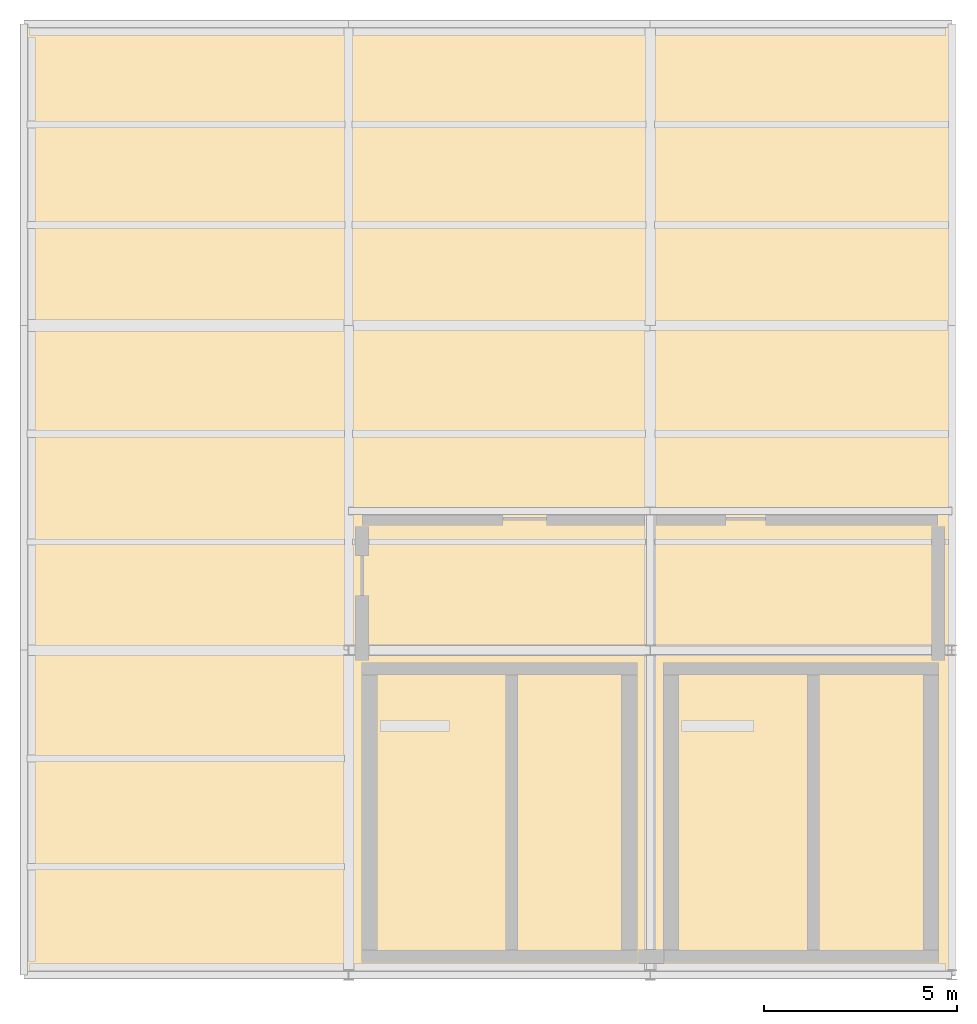
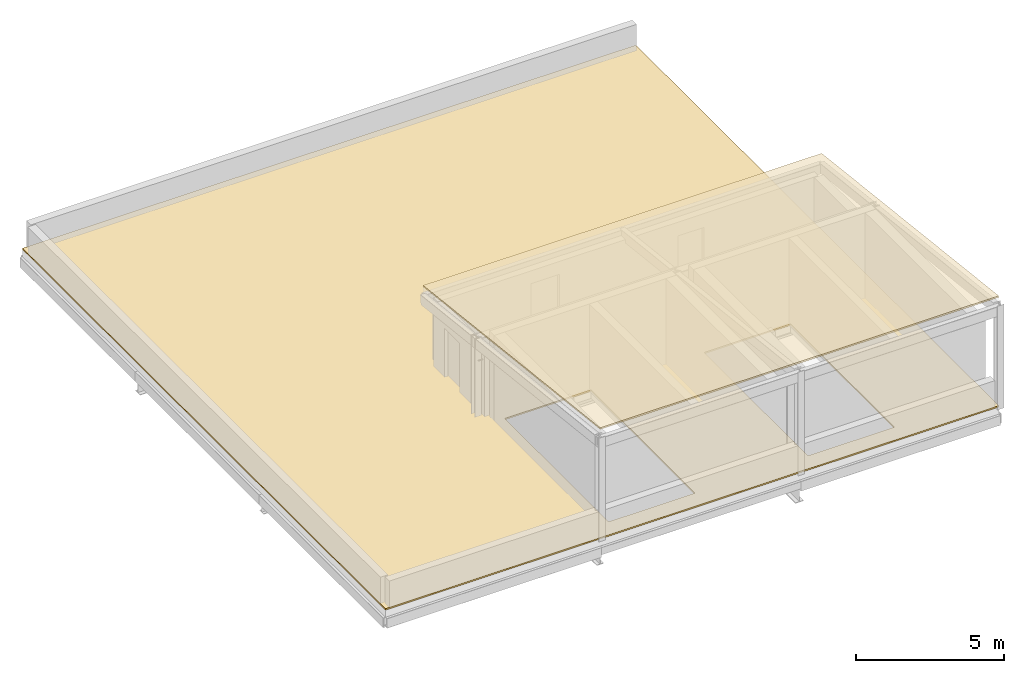
# One storey, part 3 of 3: 2 coverings, 2 elements without a shape of their own.
"""IFC4 building model written with IfcOpenShell, lengths in metres."""

from ifc_helpers import new_model, si_unit, direction, frame, origin_with_axes, place, context, subcontext, project, spatial, polyline, outline, extrude, material, type_object, element, aggregate, save


model = new_model("IFC4")

# Units and contexts
model_context = context("Model", 3, precision=1e-05, world=origin_with_axes(), true_north=direction((0.0, 1.0)))
body_context = subcontext(model_context, "Body", "Model", "MODEL_VIEW")
ifc_project = project(units=[si_unit("LENGTHUNIT", "METRE"), si_unit("AREAUNIT", "SQUARE_METRE"), si_unit("VOLUMEUNIT", "CUBIC_METRE"), si_unit("PLANEANGLEUNIT", "RADIAN"), si_unit("MASSUNIT", "GRAM", prefix="KILO"), si_unit("THERMODYNAMICTEMPERATUREUNIT", "KELVIN")], contexts=[model_context])

# Site, building, storey
site_placement = place(None, origin_with_axes())
site = spatial("IfcSite", under=ifc_project, at=site_placement, CompositionType="ELEMENT")
building_placement = place(site_placement, origin_with_axes())
building = spatial("IfcBuilding", under=site, at=building_placement, Name="Montbau Bow Law Courts", CompositionType="ELEMENT")
storey_placement = place(building_placement, frame((0.0, 0.0, 48.0), z_axis=(0.0, 0.0, 1.0), x_axis=(1.0, 0.0, 0.0)))
storey = spatial("IfcBuildingStorey", under=building, at=storey_placement, Name="Roof", CompositionType="ELEMENT", Elevation=48.0)

# Roof, covering
ifc_material_1 = material(Name="Insulated Inverted Membrane Roof", Category="other")
roof_type = type_object("IfcRoofType", Name="RF-FL-01", PredefinedType="FLAT_ROOF", material=ifc_material_1)
roof_1_placement = place(None, frame((138.6, 86.4, 48.0), z_axis=(0.0, 0.0, 1.0), x_axis=(1.0, 0.0, 0.0)))
roof_1 = element("IfcRoof", 1, at=roof_1_placement, inside=storey, type_object=roof_type, Name="ROOF-V5:rof_0002", PredefinedType="FLAT_ROOF")
ifc_material_2 = material(Name="Standing-Seam Pre-Weathered Zinc Roofing Membrane", Category="steel")
covering_type = type_object("IfcCoveringType", Name="CV-ROF-01", PredefinedType="ROOFING", material=ifc_material_2)
covering_1_placement = place(None, frame((0.0, 0.0, 48.0), z_axis=(0.0, 0.0, 1.0), x_axis=(1.0, 0.0, 0.0)))
covering_1 = element("IfcCovering", 2, at=covering_1_placement, type_object=covering_type, Name="CVR-V5:cov_0002", PredefinedType="ROOFING", context=body_context, shape_type="SweptSolid", body=[
    extrude(outline(polyline([(138.6, 86.4), (162.6, 86.4), (162.6, 111.0), (138.6, 111.0), (138.6, 86.4)]), holes=[polyline([(147.72, 87.07), (151.1, 87.07), (151.1, 94.112), (147.72, 94.112), (147.72, 87.07)]), polyline([(155.52, 87.07), (158.9, 87.07), (158.9, 94.112), (155.52, 94.112), (155.52, 87.07)])]), origin_with_axes(), (0.0, 0.0, 1.0), 0.06),
])
aggregate(roof_1, [covering_1])

roof_2_placement = place(None, frame((147.0, 86.4, 51.85), z_axis=(0.0, 0.0, 1.0), x_axis=(1.0, 0.0, 0.0)))
roof_2 = element("IfcRoof", 3, at=roof_2_placement, inside=storey, type_object=roof_type, Name="ROOF-V5B:rof_0003", PredefinedType="FLAT_ROOF")
covering_2_placement = place(None, frame((0.0, 0.0, 62.475605), z_axis=(0.0, 0.114247023, 0.993452373), x_axis=(1.0, 0.0, 0.0)))
covering_2 = element("IfcCovering", 4, at=covering_2_placement, type_object=covering_type, Name="CVR-V5B:cov_0003", PredefinedType="ROOFING", context=body_context, shape_type="SweptSolid", body=[
    extrude(outline(polyline([(147.0, 86.969443), (162.6, 86.969443), (162.6, 99.048533), (147.0, 99.048533), (147.0, 86.969443)])), origin_with_axes(), (0.0, 0.0, 1.0), 0.06),
])
aggregate(roof_2, [covering_2])

save(model, "model.ifc")
